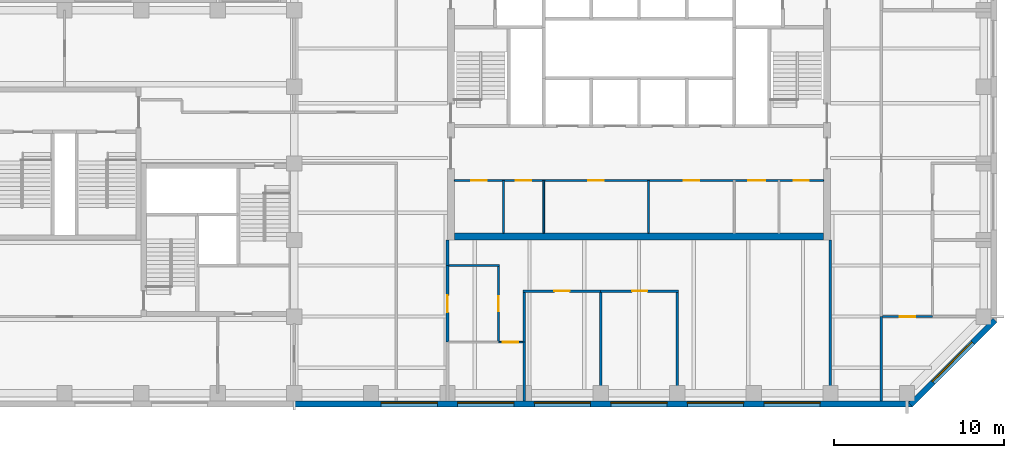
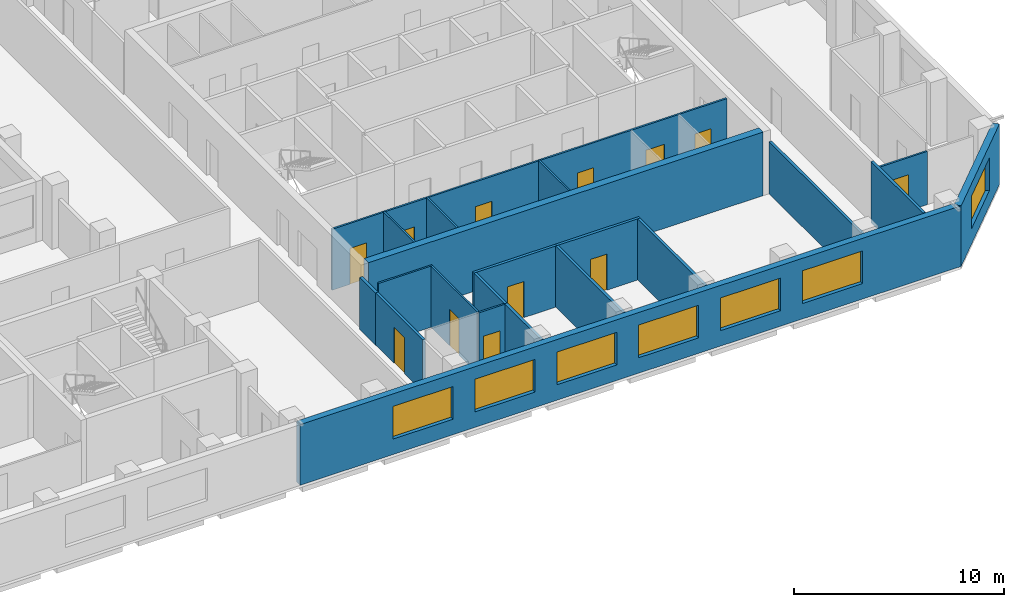
# One storey, part 4 of 9: 21 walls, 12 doors, 7 windows, 19 openings.
"""IFC4 building model written with IfcOpenShell, lengths in metres."""

import ifcopenshell
import ifcopenshell.guid

model = None  # the IFC model being written
_history = None  # IfcOwnerHistory: only IFC2X3 demands one
_inside = {}  # id of a spatial element -> (the spatial element, [elements in it])
_under = {}  # id of a project, library or spatial element -> (it, [spatial elements below it])
_declared = {}  # id of a project -> (the project, [libraries it declares])
_typed = {}  # id of a type object -> (the type object, [elements of that type])
_made_of = {}  # id of a material, layer set ... -> (it, [elements and type objects made of it])


def new_model(schema):
    """Start an empty IFC model of exactly this schema.

    Asked for "IFC4X3", IfcOpenShell would pick the latest addendum, in which some entities
    have other attributes; the version numbers below select the first issue.
    IFC2X3 requires an IfcOwnerHistory on every rooted entity: one is made here for all.
    """
    global model, _history
    if schema == "IFC4X3":
        model = ifcopenshell.file(schema_version=(4, 3, 0, 0))
    else:
        model = ifcopenshell.file(schema=schema)
    _inside.clear()
    _under.clear()
    _declared.clear()
    _typed.clear()
    _made_of.clear()
    _history = None
    if model.schema == "IFC2X3":
        org = make("IfcOrganization", Name="unknown")
        user = make(
            "IfcPersonAndOrganization",
            ThePerson=make("IfcPerson", FamilyName="unknown"),
            TheOrganization=org,
        )
        app = make(
            "IfcApplication",
            ApplicationDeveloper=org,
            Version="unknown",
            ApplicationFullName="unknown",
            ApplicationIdentifier="unknown",
        )
        _history = make(
            "IfcOwnerHistory",
            OwningUser=user,
            OwningApplication=app,
            ChangeAction="ADDED",
            CreationDate=0,
        )
    return model


def make(cls, **values):
    """One entity of the class cls with the attributes given. An attribute that is None is left unset."""
    return model.create_entity(
        cls, **{name: value for name, value in values.items() if value is not None}
    )


def rooted(cls, **values):
    """An entity with a GlobalId (a new one), such as an element, a storey or a relation."""
    return make(cls, GlobalId=ifcopenshell.guid.new(), OwnerHistory=_history, **values)


def si_unit(unit_type, name, prefix=None):
    """IfcSIUnit, for example si_unit("LENGTHUNIT", "METRE", prefix="MILLI")."""
    return make("IfcSIUnit", UnitType=unit_type, Prefix=prefix, Name=name)


def assignment(units):
    """IfcUnitAssignment: the units of a project."""
    return None if units is None else make("IfcUnitAssignment", Units=units)


def point(xyz):
    """IfcCartesianPoint."""
    return None if xyz is None else make("IfcCartesianPoint", Coordinates=xyz)


def direction(xyz):
    """IfcDirection."""
    return None if xyz is None else make("IfcDirection", DirectionRatios=xyz)


def frame(location, z_axis=None, x_axis=None):
    """IfcAxis2Placement3D, a coordinate frame: its origin and axes. An axis left out is left unset."""
    return make(
        "IfcAxis2Placement3D",
        Location=point(location),
        Axis=direction(z_axis),
        RefDirection=direction(x_axis),
    )


def frame_2d(location, x_axis=None):
    """IfcAxis2Placement2D, a coordinate frame in the plane: its origin and x axis."""
    return make(
        "IfcAxis2Placement2D", Location=point(location), RefDirection=direction(x_axis)
    )


def origin():
    """The frame at (0, 0, 0) with its axes left unset."""
    return frame((0.0, 0.0, 0.0))


def place(relative_to, where):
    """IfcLocalPlacement: puts the frame where relative to a parent placement (None: the world)."""
    return make(
        "IfcLocalPlacement", PlacementRelTo=relative_to, RelativePlacement=where
    )


def context(
    kind, dimensions, precision=None, world=None, true_north=None, identifier=None
):
    """IfcGeometricRepresentationContext, for example the 3D "Model" context."""
    return make(
        "IfcGeometricRepresentationContext",
        ContextIdentifier=identifier,
        ContextType=kind,
        CoordinateSpaceDimension=dimensions,
        Precision=precision,
        WorldCoordinateSystem=world,
        TrueNorth=true_north,
    )


def subcontext(parent, identifier, kind, view, scale=None):
    """IfcGeometricRepresentationSubContext, for example "Body" below "Model"."""
    return make(
        "IfcGeometricRepresentationSubContext",
        ContextIdentifier=identifier,
        ContextType=kind,
        ParentContext=parent,
        TargetScale=scale,
        TargetView=view,
    )


def project(units=None, contexts=None):
    """IfcProject with its units and contexts."""
    return rooted(
        "IfcProject",
        Name="project",
        RepresentationContexts=contexts,
        UnitsInContext=assignment(units),
    )


def spatial(cls, under=None, at=None, **own):
    """A site, building, storey or space (cls), placed at a placement, below another one or the project."""
    s = rooted(cls, ObjectPlacement=at, **own)
    if under is not None:
        _under.setdefault(under.id(), (under, []))[1].append(s)
    return s


def profile(cls, at=None, kind="AREA", **sizes):
    """A parametric profile (cls). Its sizes go by their IFC names, for example OverallWidth=200.0."""
    return make(cls, ProfileType=kind, Position=at, **sizes)


def rectangle(**sizes):
    """IfcRectangleProfileDef."""
    return profile("IfcRectangleProfileDef", **sizes)


def extrude(swept, where, along, depth):
    """IfcExtrudedAreaSolid: the profile swept, set in the frame where, extruded along a direction by depth."""
    return make(
        "IfcExtrudedAreaSolid",
        SweptArea=swept,
        Position=where,
        ExtrudedDirection=direction(along),
        Depth=depth,
    )


def shape(context_of_items, identifier, shape_type, items):
    """IfcShapeRepresentation: the items that make up one representation, for example the "Body"."""
    return make(
        "IfcShapeRepresentation",
        ContextOfItems=context_of_items,
        RepresentationIdentifier=identifier,
        RepresentationType=shape_type,
        Items=items,
    )


def material(Name=None, Category=None):
    """IfcMaterial."""
    return make("IfcMaterial", Name=Name, Category=Category)


def layer(
    of_material, thickness, ventilated=None, Name=None, Category=None, Priority=None
):
    """IfcMaterialLayer: one layer of a wall or slab, of a material (None: an air gap)."""
    return make(
        "IfcMaterialLayer",
        Material=of_material,
        LayerThickness=thickness,
        IsVentilated=ventilated,
        Name=Name,
        Category=Category,
        Priority=Priority,
    )


def layer_set(layers, Name=None):
    """IfcMaterialLayerSet."""
    return make("IfcMaterialLayerSet", MaterialLayers=layers, LayerSetName=Name)


def constituent(of_material, Name=None, Category=None, fraction=None):
    """IfcMaterialConstituent: one of the materials an element consists of."""
    return make(
        "IfcMaterialConstituent",
        Name=Name,
        Material=of_material,
        Fraction=fraction,
        Category=Category,
    )


def constituent_set(constituents=None, Name=None):
    """IfcMaterialConstituentSet."""
    return make(
        "IfcMaterialConstituentSet", Name=Name, MaterialConstituents=constituents
    )


def made_of(thing, what):
    """Note that an element or type object is made of a material, layer set ...; save() writes the relation."""
    if what is not None:
        _made_of.setdefault(what.id(), (what, []))[1].append(thing)
    return thing


def type_object(cls, material=None, **own):
    """A type object (cls), such as IfcWallType, which elements share."""
    return made_of(rooted(cls, **own), material)


def element(
    cls,
    number,
    at=None,
    inside=None,
    cuts=None,
    type_object=None,
    material=None,
    context=None,
    identifier="Body",
    shape_type=None,
    held_by="IfcProductDefinitionShape",
    body=None,
    shapes=None,
    **own,
):
    """One element of the class cls, such as IfcWall. Its Tag is "e" and its number.

    at: its placement. inside: the storey or other place that contains it. cuts: it is an
    opening in that element (IfcRelVoidsElement). A single representation is given by context,
    identifier, shape_type and body (its items); several are given by shapes. held_by: the class
    of the entity that holds the representations. save() writes the other relations.
    """
    e = rooted(cls, Tag="e%d" % number, ObjectPlacement=at, **own)
    if body is not None:
        shapes = [shape(context, identifier, shape_type, body)]
    if shapes is not None:
        e.Representation = make(held_by, Representations=shapes)
    if inside is not None:
        _inside.setdefault(inside.id(), (inside, []))[1].append(e)
    if cuts is not None:
        rooted(
            "IfcRelVoidsElement", RelatingBuildingElement=cuts, RelatedOpeningElement=e
        )
    if type_object is not None:
        _typed.setdefault(type_object.id(), (type_object, []))[1].append(e)
    return made_of(e, material)


def fill(opening, filler):
    """IfcRelFillsElement: the door or window that sits in an opening."""
    return rooted(
        "IfcRelFillsElement",
        RelatingOpeningElement=opening,
        RelatedBuildingElement=filler,
    )


def aggregate(whole, parts):
    """IfcRelAggregates: a whole, such as a stair, and the parts it consists of."""
    return rooted("IfcRelAggregates", RelatingObject=whole, RelatedObjects=parts)


def save(model, path):
    """Write the relations noted so far, then the file.

    IfcRelAggregates (storeys below a building ...), IfcRelContainedInSpatialStructure (elements
    in a storey), IfcRelDefinesByType, IfcRelAssociatesMaterial and IfcRelDeclares: one each for
    every whole, place, type object, material and project.
    """
    for whole, parts in _under.values():
        aggregate(whole, parts)
    for where, things in _inside.values():
        rooted(
            "IfcRelContainedInSpatialStructure",
            RelatedElements=things,
            RelatingStructure=where,
        )
    for kind, things in _typed.values():
        rooted("IfcRelDefinesByType", RelatedObjects=things, RelatingType=kind)
    for what, things in _made_of.values():
        rooted("IfcRelAssociatesMaterial", RelatedObjects=things, RelatingMaterial=what)
    for by, libraries in _declared.values():
        rooted("IfcRelDeclares", RelatingContext=by, RelatedDefinitions=libraries)
    model.write(path)


model = new_model("IFC4")

# Units and contexts
model_context = context("Model", 3, precision=1e-05, world=origin(), true_north=direction((0.0, 1.0)))
body_context = subcontext(model_context, "Body", "Model", "MODEL_VIEW")
ifc_project = project(units=[si_unit("LENGTHUNIT", "METRE"), si_unit("AREAUNIT", "SQUARE_METRE"), si_unit("VOLUMEUNIT", "CUBIC_METRE"), si_unit("PLANEANGLEUNIT", "RADIAN"), si_unit("MASSUNIT", "GRAM", prefix="KILO")], contexts=[model_context])

# Site, building, storey
site_placement = place(None, origin())
site = spatial("IfcSite", under=ifc_project, at=site_placement, CompositionType="ELEMENT")
building_placement = place(site_placement, origin())
building = spatial("IfcBuilding", under=site, at=building_placement, Name="Quoin Convention Tower", CompositionType="ELEMENT")
storey_placement = place(building_placement, frame((0.0, 0.0, 245.199951171875)))
storey = spatial("IfcBuildingStorey", under=building, at=storey_placement, Name="L64", CompositionType="ELEMENT", Elevation=245.199951171875)

# Wall, opening, door
ifc_material_1 = material(Name="Plasterboard")
ifc_layer_1 = layer(ifc_material_1, 0.012451171875, Name="Finish")
ifc_material_2 = material(Name="Steel stud framing", Category="steel")
ifc_layer_2 = layer(ifc_material_2, 0.125, Name="Structure")
ifc_layer_3 = layer(ifc_material_1, 0.012451171875, Name="Finish")
ifc_layer_set_1 = layer_set([ifc_layer_1, ifc_layer_2, ifc_layer_3], Name="Steel stud framing")
wall_type_1 = type_object("IfcWallType", Name="Acoustic partition 150", PredefinedType="PARTITIONING", material=ifc_layer_set_1)
wall_1_placement = place(storey_placement, frame((49.425048828125, 46.5, 0.0), z_axis=(0.0, 0.0, 1.0), x_axis=(1.0, 0.0, 0.0)))
wall_1 = element("IfcWall", 1, at=wall_1_placement, inside=storey, type_object=wall_type_1, Name="pw-L64-009", PredefinedType="PARTITIONING", context=body_context, shape_type="SweptSolid", body=[
    extrude(rectangle(XDim=4.574951171875, YDim=0.14990234375, at=frame_2d((2.28759765625, 0.0))), origin(), (0.0, 0.0, 1.0), 3.550048828125),
])
opening_1_placement = place(wall_1_placement, frame((1.85009765625, 0.0, 0.0)))
opening_1 = element("IfcOpeningElement", 2, at=opening_1_placement, cuts=wall_1, Name="Opening DOH12-03", PredefinedType="OPENING", context=body_context, shape_type="SweptSolid", body=[
    extrude(rectangle(XDim=0.89990234375, YDim=2.10009765625, at=frame_2d((0.449951171875, 1.050048828125))), frame((0.0, 0.0849609375, 0.0), z_axis=(0.0, -1.0, 0.0), x_axis=(1.0, 0.0, 0.0)), (0.0, 0.0, 1.0), 0.169921875),
])
ifc_material_3 = material(Name="Steel door leaf", Category="steel")
door_type_1 = type_object("IfcDoorType", Name="Office door 900 x 2100", OperationType="SINGLE_SWING_RIGHT", PredefinedType="DOOR", material=ifc_material_3)
door_1_placement = place(opening_1_placement, origin())
door_1 = element("IfcDoor", 3, at=door_1_placement, inside=storey, type_object=door_type_1, Name="dr-L64-13", OperationType="SINGLE_SWING_RIGHT", OverallHeight=2.10009765625, OverallWidth=0.89990234375, PredefinedType="DOOR", context=body_context, shape_type="SweptSolid", body=[
    extrude(rectangle(XDim=0.89990234375, YDim=2.10009765625, at=frame_2d((0.449951171875, 1.050048828125))), frame((0.0, 0.02490234375, 0.0), z_axis=(0.0, -1.0, 0.0), x_axis=(1.0, 0.0, 0.0)), (0.0, 0.0, 1.0), 0.050048828125),
])
fill(opening_1, door_1)

wall_2_placement = place(storey_placement, frame((54.0, 46.5, 0.0), z_axis=(0.0, 0.0, 1.0), x_axis=(1.0, 0.0, 0.0)))
wall_2 = element("IfcWall", 4, at=wall_2_placement, inside=storey, type_object=wall_type_1, Name="pw-L64-010", PredefinedType="PARTITIONING", context=body_context, shape_type="SweptSolid", body=[
    extrude(rectangle(XDim=4.574951171875, YDim=0.14990234375, at=frame_2d((2.28759765625, 0.0))), origin(), (0.0, 0.0, 1.0), 3.550048828125),
])
opening_2_placement = place(wall_2_placement, frame((1.85009765625, 0.0, 0.0)))
opening_2 = element("IfcOpeningElement", 5, at=opening_2_placement, cuts=wall_2, Name="Opening DOH12-04", PredefinedType="OPENING", context=body_context, shape_type="SweptSolid", body=[
    extrude(rectangle(XDim=0.89990234375, YDim=2.10009765625, at=frame_2d((0.449951171875, 1.050048828125))), frame((0.0, 0.0849609375, 0.0), z_axis=(0.0, -1.0, 0.0), x_axis=(1.0, 0.0, 0.0)), (0.0, 0.0, 1.0), 0.169921875),
])
door_2_placement = place(opening_2_placement, origin())
door_2 = element("IfcDoor", 6, at=door_2_placement, inside=storey, type_object=door_type_1, Name="dr-L64-14", OperationType="SINGLE_SWING_RIGHT", OverallHeight=2.10009765625, OverallWidth=0.89990234375, PredefinedType="DOOR", context=body_context, shape_type="SweptSolid", body=[
    extrude(rectangle(XDim=0.89990234375, YDim=2.10009765625, at=frame_2d((0.449951171875, 1.050048828125))), frame((0.0, 0.02490234375, 0.0), z_axis=(0.0, -1.0, 0.0), x_axis=(1.0, 0.0, 0.0)), (0.0, 0.0, 1.0), 0.050048828125),
])
fill(opening_2, door_2)

# Walls
wall_3_placement = place(storey_placement, frame((49.5, 40.050048828125, 0.0), z_axis=(0.0, 0.0, 1.0), x_axis=(0.0, 1.0, 0.0)))
element("IfcWall", 7, at=wall_3_placement, inside=storey, type_object=wall_type_1, Name="pw-L64-036", PredefinedType="PARTITIONING", context=body_context, shape_type="SweptSolid", body=[
    extrude(rectangle(XDim=3.449951171875, YDim=0.14990234375, at=frame_2d((1.72509765625, 0.0))), origin(), (0.0, 0.0, 1.0), 3.550048828125),
])
for number, where, z_axis, x_axis, name in (
    (8, (54.0, 40.050048828125, 0.0), (0.0, 0.0, 1.0), (0.0, 1.0, 0.0), "pw-L64-037"),
    (9, (58.5, 40.050048828125, 0.0), (0.0, 0.0, 1.0), (0.0, 1.0, 0.0), "pw-L64-038"),
):
    element("IfcWall", number, at=place(storey_placement, frame(where, z_axis=z_axis, x_axis=x_axis)), inside=storey, type_object=wall_type_1, Name=name, PredefinedType="PARTITIONING", context=body_context, shape_type="SweptSolid", body=[
        extrude(rectangle(XDim=6.375, YDim=0.14990234375, at=frame_2d((3.1875, 0.0))), origin(), (0.0, 0.0, 1.0), 3.550048828125),
    ])
wall_4_placement = place(storey_placement, frame((49.5, 43.5, 0.0), z_axis=(0.0, 0.0, 1.0), x_axis=(0.0, 1.0, 0.0)))
element("IfcWall", 10, at=wall_4_placement, inside=storey, type_object=wall_type_1, Name="pw-L64-044", PredefinedType="PARTITIONING", context=body_context, shape_type="SweptSolid", body=[
    extrude(rectangle(XDim=2.925048828125, YDim=0.14990234375, at=frame_2d((1.46240234375, 0.0))), origin(), (0.0, 0.0, 1.0), 3.550048828125),
])

# Wall, openings, windows
ifc_material_4 = material(Name="Brick masonry", Category="masonry")
ifc_layer_4 = layer(ifc_material_4, 0.35009765625)
ifc_layer_set_2 = layer_set([ifc_layer_4], Name="Brick masonry")
wall_type_2 = type_object("IfcWallType", Name="Brick facade wall", PredefinedType="STANDARD", material=ifc_layer_set_2)
wall_5_placement = place(storey_placement, frame((36.0, 39.875, 0.0), z_axis=(0.0, 0.0, 1.0), x_axis=(1.0, 0.0, 0.0)))
wall_5 = element("IfcWall", 11, at=wall_5_placement, inside=storey, type_object=wall_type_2, Name="fw-L64-36000_40500", PredefinedType="STANDARD", context=body_context, shape_type="SweptSolid", body=[
    extrude(rectangle(XDim=36.331298828125, YDim=0.35009765625, at=frame_2d((18.16552734375, 0.0))), origin(), (0.0, 0.0, 1.0), 3.525146484375),
])
opening_3_placement = place(wall_5_placement, frame((5.10009765625, 0.0, 0.89990234375)))
opening_3 = element("IfcOpeningElement", 12, at=opening_3_placement, cuts=wall_5, Name="Opening W-02", PredefinedType="OPENING", context=body_context, shape_type="SweptSolid", body=[
    extrude(rectangle(XDim=3.300048828125, YDim=1.89990234375, at=frame_2d((1.64990234375, 0.949951171875))), frame((0.0, 0.18505859375, 0.0), z_axis=(0.0, -1.0, 0.0), x_axis=(1.0, 0.0, 0.0)), (0.0, 0.0, 1.0), 0.3701171875),
])
opening_4_placement = place(wall_5_placement, frame((9.60009765625, 0.0, 0.89990234375)))
opening_4 = element("IfcOpeningElement", 13, at=opening_4_placement, cuts=wall_5, Name="Opening W-02", PredefinedType="OPENING", context=body_context, shape_type="SweptSolid", body=[
    extrude(rectangle(XDim=3.300048828125, YDim=1.89990234375, at=frame_2d((1.64990234375, 0.949951171875))), frame((0.0, 0.18505859375, 0.0), z_axis=(0.0, -1.0, 0.0), x_axis=(1.0, 0.0, 0.0)), (0.0, 0.0, 1.0), 0.3701171875),
])
opening_5_placement = place(wall_5_placement, frame((14.10009765625, 0.0, 0.89990234375)))
opening_5 = element("IfcOpeningElement", 14, at=opening_5_placement, cuts=wall_5, Name="Opening W-02", PredefinedType="OPENING", context=body_context, shape_type="SweptSolid", body=[
    extrude(rectangle(XDim=3.300048828125, YDim=1.89990234375, at=frame_2d((1.64990234375, 0.949951171875))), frame((0.0, 0.18505859375, 0.0), z_axis=(0.0, -1.0, 0.0), x_axis=(1.0, 0.0, 0.0)), (0.0, 0.0, 1.0), 0.3701171875),
])
opening_6_placement = place(wall_5_placement, frame((18.60009765625, 0.0, 0.89990234375)))
opening_6 = element("IfcOpeningElement", 15, at=opening_6_placement, cuts=wall_5, Name="Opening W-02", PredefinedType="OPENING", context=body_context, shape_type="SweptSolid", body=[
    extrude(rectangle(XDim=3.300048828125, YDim=1.89990234375, at=frame_2d((1.64990234375, 0.949951171875))), frame((0.0, 0.18505859375, 0.0), z_axis=(0.0, -1.0, 0.0), x_axis=(1.0, 0.0, 0.0)), (0.0, 0.0, 1.0), 0.3701171875),
])
opening_7_placement = place(wall_5_placement, frame((23.10009765625, 0.0, 0.89990234375)))
opening_7 = element("IfcOpeningElement", 16, at=opening_7_placement, cuts=wall_5, Name="Opening W-02", PredefinedType="OPENING", context=body_context, shape_type="SweptSolid", body=[
    extrude(rectangle(XDim=3.300048828125, YDim=1.89990234375, at=frame_2d((1.64990234375, 0.949951171875))), frame((0.0, 0.18505859375, 0.0), z_axis=(0.0, -1.0, 0.0), x_axis=(1.0, 0.0, 0.0)), (0.0, 0.0, 1.0), 0.3701171875),
])
opening_8_placement = place(wall_5_placement, frame((27.60009765625, 0.0, 0.89990234375)))
opening_8 = element("IfcOpeningElement", 17, at=opening_8_placement, cuts=wall_5, Name="Opening W-02", PredefinedType="OPENING", context=body_context, shape_type="SweptSolid", body=[
    extrude(rectangle(XDim=3.300048828125, YDim=1.89990234375, at=frame_2d((1.64990234375, 0.949951171875))), frame((0.0, 0.18505859375, 0.0), z_axis=(0.0, -1.0, 0.0), x_axis=(1.0, 0.0, 0.0)), (0.0, 0.0, 1.0), 0.3701171875),
])
ifc_material_5 = material(Name="Aluminium", Category="aluminium")
ifc_constituent_1 = constituent(ifc_material_5, Name="Frame")
ifc_material_6 = material(Name="Insulated glass", Category="glass")
ifc_constituent_2 = constituent(ifc_material_6, Name="Glazing")
ifc_constituent_set = constituent_set(constituents=[ifc_constituent_1, ifc_constituent_2], Name="Aluminium")
window_type = type_object("IfcWindowType", Name="Office window", PartitioningType="DOUBLE_PANEL_VERTICAL", PredefinedType="WINDOW", material=ifc_constituent_set)
window_1_placement = place(opening_3_placement, origin())
window_1 = element("IfcWindow", 18, at=window_1_placement, inside=storey, type_object=window_type, Name="win-L64-42750_39875", OverallHeight=1.89990234375, OverallWidth=3.300048828125, PartitioningType="SINGLE_PANEL", PredefinedType="WINDOW", context=body_context, shape_type="SweptSolid", body=[
    extrude(rectangle(XDim=3.300048828125, YDim=1.89990234375, at=frame_2d((1.64990234375, 0.949951171875))), frame((0.0, 0.0849609375, 0.0), z_axis=(0.0, -1.0, 0.0), x_axis=(1.0, 0.0, 0.0)), (0.0, 0.0, 1.0), 0.06005859375),
])
fill(opening_3, window_1)
window_2_placement = place(opening_4_placement, origin())
window_2 = element("IfcWindow", 19, at=window_2_placement, inside=storey, type_object=window_type, Name="win-L64-47250_39875", OverallHeight=1.89990234375, OverallWidth=3.300048828125, PartitioningType="SINGLE_PANEL", PredefinedType="WINDOW", context=body_context, shape_type="SweptSolid", body=[
    extrude(rectangle(XDim=3.300048828125, YDim=1.89990234375, at=frame_2d((1.64990234375, 0.949951171875))), frame((0.0, 0.0849609375, 0.0), z_axis=(0.0, -1.0, 0.0), x_axis=(1.0, 0.0, 0.0)), (0.0, 0.0, 1.0), 0.06005859375),
])
fill(opening_4, window_2)
window_3_placement = place(opening_5_placement, origin())
window_3 = element("IfcWindow", 20, at=window_3_placement, inside=storey, type_object=window_type, Name="win-L64-51750_39875", OverallHeight=1.89990234375, OverallWidth=3.300048828125, PartitioningType="SINGLE_PANEL", PredefinedType="WINDOW", context=body_context, shape_type="SweptSolid", body=[
    extrude(rectangle(XDim=3.300048828125, YDim=1.89990234375, at=frame_2d((1.64990234375, 0.949951171875))), frame((0.0, 0.0849609375, 0.0), z_axis=(0.0, -1.0, 0.0), x_axis=(1.0, 0.0, 0.0)), (0.0, 0.0, 1.0), 0.06005859375),
])
fill(opening_5, window_3)
window_4_placement = place(opening_6_placement, origin())
window_4 = element("IfcWindow", 21, at=window_4_placement, inside=storey, type_object=window_type, Name="win-L64-56250_39875", OverallHeight=1.89990234375, OverallWidth=3.300048828125, PartitioningType="SINGLE_PANEL", PredefinedType="WINDOW", context=body_context, shape_type="SweptSolid", body=[
    extrude(rectangle(XDim=3.300048828125, YDim=1.89990234375, at=frame_2d((1.64990234375, 0.949951171875))), frame((0.0, 0.0849609375, 0.0), z_axis=(0.0, -1.0, 0.0), x_axis=(1.0, 0.0, 0.0)), (0.0, 0.0, 1.0), 0.06005859375),
])
fill(opening_6, window_4)
window_5_placement = place(opening_7_placement, origin())
window_5 = element("IfcWindow", 22, at=window_5_placement, inside=storey, type_object=window_type, Name="win-L64-60750_39875", OverallHeight=1.89990234375, OverallWidth=3.300048828125, PartitioningType="SINGLE_PANEL", PredefinedType="WINDOW", context=body_context, shape_type="SweptSolid", body=[
    extrude(rectangle(XDim=3.300048828125, YDim=1.89990234375, at=frame_2d((1.64990234375, 0.949951171875))), frame((0.0, 0.0849609375, 0.0), z_axis=(0.0, -1.0, 0.0), x_axis=(1.0, 0.0, 0.0)), (0.0, 0.0, 1.0), 0.06005859375),
])
fill(opening_7, window_5)
window_6_placement = place(opening_8_placement, origin())
window_6 = element("IfcWindow", 23, at=window_6_placement, inside=storey, type_object=window_type, Name="win-L64-65250_39875", OverallHeight=1.89990234375, OverallWidth=3.300048828125, PartitioningType="SINGLE_PANEL", PredefinedType="WINDOW", context=body_context, shape_type="SweptSolid", body=[
    extrude(rectangle(XDim=3.300048828125, YDim=1.89990234375, at=frame_2d((1.64990234375, 0.949951171875))), frame((0.0, 0.0849609375, 0.0), z_axis=(0.0, -1.0, 0.0), x_axis=(1.0, 0.0, 0.0)), (0.0, 0.0, 1.0), 0.06005859375),
])
fill(opening_8, window_6)

# Wall, opening, window
wall_6_placement = place(storey_placement, frame((72.20751953125, 39.82373046875, 0.0), z_axis=(0.0, 0.0, 1.0), x_axis=(0.707106781187, 0.707106781187, 0.0)))
wall_6 = element("IfcWall", 24, at=wall_6_placement, inside=storey, type_object=wall_type_2, Name="fw-L64-72000_40500", PredefinedType="STANDARD", context=body_context, shape_type="SweptSolid", body=[
    extrude(rectangle(XDim=7.02685546875, YDim=0.35009765625, at=frame_2d((3.513427734375, 0.0))), origin(), (0.0, 0.0, 1.0), 3.525146484375),
])
opening_9_placement = place(wall_6_placement, frame((1.86328125, 0.0, 0.89990234375)))
opening_9 = element("IfcOpeningElement", 25, at=opening_9_placement, cuts=wall_6, Name="Opening W-02", PredefinedType="OPENING", context=body_context, shape_type="SweptSolid", body=[
    extrude(rectangle(XDim=3.300048828125, YDim=1.89990234375, at=frame_2d((1.64990234375, 0.949951171875))), frame((0.0, 0.18505859375, 0.0), z_axis=(0.0, -1.0, 0.0), x_axis=(1.0, 0.0, 0.0)), (0.0, 0.0, 1.0), 0.3701171875),
])
window_7_placement = place(opening_9_placement, origin())
window_7 = element("IfcWindow", 26, at=window_7_placement, inside=storey, type_object=window_type, Name="win-L64-74692_42308", OverallHeight=1.89990234375, OverallWidth=3.300048828125, PartitioningType="SINGLE_PANEL", PredefinedType="WINDOW", context=body_context, shape_type="SweptSolid", body=[
    extrude(rectangle(XDim=3.300048828125, YDim=1.89990234375, at=frame_2d((1.64990234375, 0.949951171875))), frame((0.0, 0.0849609375, 0.0), z_axis=(0.0, -1.0, 0.0), x_axis=(1.0, 0.0, 0.0)), (0.0, 0.0, 1.0), 0.06005859375),
])
fill(opening_9, window_7)

# Wall, openings, doors
ifc_layer_5 = layer(ifc_material_1, 0.012451171875, Name="Finish")
ifc_layer_6 = layer(ifc_material_2, 0.074951171875, Name="Structure")
ifc_layer_7 = layer(ifc_material_1, 0.012451171875, Name="Finish")
ifc_layer_set_3 = layer_set([ifc_layer_5, ifc_layer_6, ifc_layer_7], Name="Steel stud framing")
wall_type_3 = type_object("IfcWallType", Name="Core partition wall", PredefinedType="PARTITIONING", material=ifc_layer_set_3)
wall_7_placement = place(storey_placement, frame((45.39990234375, 53.0, 0.0), z_axis=(0.0, 0.0, 1.0), x_axis=(1.0, 0.0, 0.0)))
wall_7 = element("IfcWall", 27, at=wall_7_placement, inside=storey, type_object=wall_type_3, Name="cr-C1-L64-h3500_400", PredefinedType="PARTITIONING", context=body_context, shape_type="SweptSolid", body=[
    extrude(rectangle(XDim=21.7001953125, YDim=0.10009765625, at=frame_2d((10.85009765625, 0.0))), origin(), (0.0, 0.0, 1.0), 3.550048828125),
])
opening_10_placement = place(wall_7_placement, frame((19.9375, 0.0, 0.0)))
opening_10 = element("IfcOpeningElement", 28, at=opening_10_placement, cuts=wall_7, Name="Opening DCV4-33", PredefinedType="OPENING", context=body_context, shape_type="SweptSolid", body=[
    extrude(rectangle(XDim=0.89990234375, YDim=2.10009765625, at=frame_2d((0.449951171875, 1.050048828125))), frame((0.0, 0.06005859375, 0.0), z_axis=(0.0, -1.0, 0.0), x_axis=(1.0, 0.0, 0.0)), (0.0, 0.0, 1.0), 0.1201171875),
])
opening_11_placement = place(wall_7_placement, frame((17.262451171875, 0.0, 0.0)))
opening_11 = element("IfcOpeningElement", 29, at=opening_11_placement, cuts=wall_7, Name="Opening DCV4-32", PredefinedType="OPENING", context=body_context, shape_type="SweptSolid", body=[
    extrude(rectangle(XDim=1.0, YDim=2.10009765625, at=frame_2d((0.5, 1.050048828125))), frame((0.0, 0.06005859375, 0.0), z_axis=(0.0, -1.0, 0.0), x_axis=(1.0, 0.0, 0.0)), (0.0, 0.0, 1.0), 0.1201171875),
])
opening_12_placement = place(wall_7_placement, frame((0.993896484375, 0.0, 0.0)))
opening_12 = element("IfcOpeningElement", 30, at=opening_12_placement, cuts=wall_7, Name="Opening DCV4-25", PredefinedType="OPENING", context=body_context, shape_type="SweptSolid", body=[
    extrude(rectangle(XDim=0.89990234375, YDim=2.10009765625, at=frame_2d((0.449951171875, 1.050048828125))), frame((0.0, 0.06005859375, 0.0), z_axis=(0.0, -1.0, 0.0), x_axis=(1.0, 0.0, 0.0)), (0.0, 0.0, 1.0), 0.1201171875),
])
opening_13_placement = place(wall_7_placement, frame((3.618896484375, 0.0, 0.0)))
opening_13 = element("IfcOpeningElement", 31, at=opening_13_placement, cuts=wall_7, Name="Opening DCV4-26", PredefinedType="OPENING", context=body_context, shape_type="SweptSolid", body=[
    extrude(rectangle(XDim=0.89990234375, YDim=2.10009765625, at=frame_2d((0.449951171875, 1.050048828125))), frame((0.0, 0.06005859375, 0.0), z_axis=(0.0, -1.0, 0.0), x_axis=(1.0, 0.0, 0.0)), (0.0, 0.0, 1.0), 0.1201171875),
])
opening_14_placement = place(wall_7_placement, frame((7.8798828125, 0.0, 0.0)))
opening_14 = element("IfcOpeningElement", 32, at=opening_14_placement, cuts=wall_7, Name="Opening DCV4-28", PredefinedType="OPENING", context=body_context, shape_type="SweptSolid", body=[
    extrude(rectangle(XDim=0.89990234375, YDim=2.10009765625, at=frame_2d((0.449951171875, 1.050048828125))), frame((0.0, 0.06005859375, 0.0), z_axis=(0.0, -1.0, 0.0), x_axis=(1.0, 0.0, 0.0)), (0.0, 0.0, 1.0), 0.1201171875),
])
opening_15_placement = place(wall_7_placement, frame((13.47998046875, 0.0, 0.0)))
opening_15 = element("IfcOpeningElement", 33, at=opening_15_placement, cuts=wall_7, Name="Opening DCV4-31", PredefinedType="OPENING", context=body_context, shape_type="SweptSolid", body=[
    extrude(rectangle(XDim=0.89990234375, YDim=2.10009765625, at=frame_2d((0.449951171875, 1.050048828125))), frame((0.0, 0.06005859375, 0.0), z_axis=(0.0, -1.0, 0.0), x_axis=(1.0, 0.0, 0.0)), (0.0, 0.0, 1.0), 0.1201171875),
])
door_type_2 = type_object("IfcDoorType", Name="Core room door 1000 x 2100", OperationType="SINGLE_SWING_LEFT", PredefinedType="DOOR", material=ifc_material_3)
door_3_placement = place(opening_11_placement, frame((1.0, 0.0, 0.0), z_axis=(0.0, 0.0, 1.0), x_axis=(-1.0, 0.0, 0.0)))
door_3 = element("IfcDoor", 34, at=door_3_placement, inside=storey, type_object=door_type_2, Name="cd-C1-L64-CSE1-lobA-CD6413", OperationType="SINGLE_SWING_LEFT", OverallHeight=2.10009765625, OverallWidth=1.0, PredefinedType="DOOR", context=body_context, shape_type="SweptSolid", body=[
    extrude(rectangle(XDim=1.0, YDim=2.10009765625, at=frame_2d((0.5, 1.050048828125))), frame((0.0, 0.02490234375, 0.0), z_axis=(0.0, -1.0, 0.0), x_axis=(1.0, 0.0, 0.0)), (0.0, 0.0, 1.0), 0.050048828125),
])
fill(opening_11, door_3)
door_type_3 = type_object("IfcDoorType", Name="Core room door 900 x 2100", OperationType="SINGLE_SWING_LEFT", PredefinedType="DOOR", material=ifc_material_3)
door_4_placement = place(opening_10_placement, frame((0.89990234375, 0.0, 0.0), z_axis=(0.0, 0.0, 1.0), x_axis=(-1.0, 0.0, 0.0)))
door_4 = element("IfcDoor", 35, at=door_4_placement, inside=storey, type_object=door_type_3, Name="cd-C1-L64-CSE0-lobA-CD6412", OperationType="SINGLE_SWING_LEFT", OverallHeight=2.10009765625, OverallWidth=0.89990234375, PredefinedType="DOOR", context=body_context, shape_type="SweptSolid", body=[
    extrude(rectangle(XDim=0.89990234375, YDim=2.10009765625, at=frame_2d((0.449951171875, 1.050048828125))), frame((0.0, 0.02490234375, 0.0), z_axis=(0.0, -1.0, 0.0), x_axis=(1.0, 0.0, 0.0)), (0.0, 0.0, 1.0), 0.050048828125),
])
fill(opening_10, door_4)
door_5_placement = place(opening_12_placement, frame((0.89990234375, 0.0, 0.0), z_axis=(0.0, 0.0, 1.0), x_axis=(-1.0, 0.0, 0.0)))
door_5 = element("IfcDoor", 36, at=door_5_placement, inside=storey, type_object=door_type_3, Name="cd-C1-L64-CSW0-lobA-CD6414", OperationType="SINGLE_SWING_LEFT", OverallHeight=2.10009765625, OverallWidth=0.89990234375, PredefinedType="DOOR", context=body_context, shape_type="SweptSolid", body=[
    extrude(rectangle(XDim=0.89990234375, YDim=2.10009765625, at=frame_2d((0.449951171875, 1.050048828125))), frame((0.0, 0.02490234375, 0.0), z_axis=(0.0, -1.0, 0.0), x_axis=(1.0, 0.0, 0.0)), (0.0, 0.0, 1.0), 0.050048828125),
])
fill(opening_12, door_5)
door_6_placement = place(opening_13_placement, frame((0.89990234375, 0.0, 0.0), z_axis=(0.0, 0.0, 1.0), x_axis=(-1.0, 0.0, 0.0)))
door_6 = element("IfcDoor", 37, at=door_6_placement, inside=storey, type_object=door_type_3, Name="cd-C1-L64-CSW1-lobA-CD6415", OperationType="SINGLE_SWING_LEFT", OverallHeight=2.10009765625, OverallWidth=0.89990234375, PredefinedType="DOOR", context=body_context, shape_type="SweptSolid", body=[
    extrude(rectangle(XDim=0.89990234375, YDim=2.10009765625, at=frame_2d((0.449951171875, 1.050048828125))), frame((0.0, 0.02490234375, 0.0), z_axis=(0.0, -1.0, 0.0), x_axis=(1.0, 0.0, 0.0)), (0.0, 0.0, 1.0), 0.050048828125),
])
fill(opening_13, door_6)
door_7_placement = place(opening_14_placement, frame((0.89990234375, 0.0, 0.0), z_axis=(0.0, 0.0, 1.0), x_axis=(-1.0, 0.0, 0.0)))
door_7 = element("IfcDoor", 38, at=door_7_placement, inside=storey, type_object=door_type_3, Name="cd-C1-L64-F10-lobA-CD6416", OperationType="SINGLE_SWING_LEFT", OverallHeight=2.10009765625, OverallWidth=0.89990234375, PredefinedType="DOOR", context=body_context, shape_type="SweptSolid", body=[
    extrude(rectangle(XDim=0.89990234375, YDim=2.10009765625, at=frame_2d((0.449951171875, 1.050048828125))), frame((0.0, 0.02490234375, 0.0), z_axis=(0.0, -1.0, 0.0), x_axis=(1.0, 0.0, 0.0)), (0.0, 0.0, 1.0), 0.050048828125),
])
fill(opening_14, door_7)
door_8_placement = place(opening_15_placement, frame((0.89990234375, 0.0, 0.0), z_axis=(0.0, 0.0, 1.0), x_axis=(-1.0, 0.0, 0.0)))
door_8 = element("IfcDoor", 39, at=door_8_placement, inside=storey, type_object=door_type_3, Name="cd-C1-L64-F11-lobA-CD6417", OperationType="SINGLE_SWING_LEFT", OverallHeight=2.10009765625, OverallWidth=0.89990234375, PredefinedType="DOOR", context=body_context, shape_type="SweptSolid", body=[
    extrude(rectangle(XDim=0.89990234375, YDim=2.10009765625, at=frame_2d((0.449951171875, 1.050048828125))), frame((0.0, 0.02490234375, 0.0), z_axis=(0.0, -1.0, 0.0), x_axis=(1.0, 0.0, 0.0)), (0.0, 0.0, 1.0), 0.050048828125),
])
fill(opening_15, door_8)

# Walls
for number, where, z_axis, x_axis, name in (
    (40, (48.28759765625, 49.89990234375, 0.0), (0.0, 0.0, 1.0), (0.0, 1.0, 0.0), "cr-C1-L64-v3288_400"),
    (41, (50.64990234375, 49.89990234375, 0.0), (0.0, 0.0, 1.0), (0.0, 1.0, 0.0), "cr-C1-L64-v5650_400"),
    (42, (56.81005859375, 49.89990234375, 0.0), (0.0, 0.0, 1.0), (0.0, 1.0, 0.0), "cr-C1-L64-v11810_400"),
):
    element("IfcWall", number, at=place(storey_placement, frame(where, z_axis=z_axis, x_axis=x_axis)), inside=storey, type_object=wall_type_3, Name=name, PredefinedType="PARTITIONING", context=body_context, shape_type="SweptSolid", body=[
        extrude(rectangle(XDim=3.10009765625, YDim=0.10009765625, at=frame_2d((1.550048828125, 0.0))), origin(), (0.0, 0.0, 1.0), 3.550048828125),
    ])
ifc_layer_8 = layer(ifc_material_1, 0.012451171875, Name="Finish")
ifc_layer_9 = layer(ifc_material_2, 0.125, Name="Structure")
ifc_layer_10 = layer(ifc_material_1, 0.012451171875, Name="Finish")
ifc_layer_set_4 = layer_set([ifc_layer_8, ifc_layer_9, ifc_layer_10], Name="Steel stud framing")
wall_type_4 = type_object("IfcWallType", Name="Corridor wall 150", PredefinedType="PARTITIONING", material=ifc_layer_set_4)
wall_8_placement = place(storey_placement, frame((70.5, 40.050048828125, 0.0), z_axis=(0.0, 0.0, 1.0), x_axis=(0.0, 1.0, 0.0)))
element("IfcWall", 43, at=wall_8_placement, inside=storey, type_object=wall_type_4, Name="pw-L64-040", PredefinedType="PARTITIONING", context=body_context, shape_type="SweptSolid", body=[
    extrude(rectangle(XDim=4.949951171875, YDim=0.14990234375, at=frame_2d((2.47509765625, 0.0))), origin(), (0.0, 0.0, 1.0), 3.550048828125),
])
ifc_layer_11 = layer(ifc_material_1, 0.012451171875, Name="Finish")
ifc_layer_12 = layer(ifc_material_2, 0.125, Name="Structure")
ifc_layer_13 = layer(ifc_material_1, 0.012451171875, Name="Finish")
ifc_layer_set_5 = layer_set([ifc_layer_11, ifc_layer_12, ifc_layer_13], Name="Steel stud framing")
wall_type_5 = type_object("IfcWallType", Name="Corridor wall 150 under beam 528", PredefinedType="PARTITIONING", material=ifc_layer_set_5)
wall_9_placement = place(storey_placement, frame((67.5, 40.050048828125, 0.0), z_axis=(0.0, 0.0, 1.0), x_axis=(0.0, 1.0, 0.0)))
element("IfcWall", 44, at=wall_9_placement, inside=storey, type_object=wall_type_5, Name="pw-L64-039", PredefinedType="PARTITIONING", context=body_context, shape_type="SweptSolid", body=[
    extrude(rectangle(XDim=9.449951171875, YDim=0.14990234375, at=frame_2d((4.72509765625, 0.0))), origin(), (0.0, 0.0, 1.0), 3.02197265625),
])

# Wall, opening, door
wall_10_placement = place(storey_placement, frame((45.0, 43.5, 0.0), z_axis=(0.0, 0.0, 1.0), x_axis=(0.0, 1.0, 0.0)))
wall_10 = element("IfcWall", 45, at=wall_10_placement, inside=storey, type_object=wall_type_5, Name="pw-L64-043", PredefinedType="PARTITIONING", context=body_context, shape_type="SweptSolid", body=[
    extrude(rectangle(XDim=4.5, YDim=0.14990234375, at=frame_2d((2.25, 0.0))), origin(), (0.0, 0.0, 1.0), 3.02197265625),
])
opening_16_placement = place(wall_10_placement, frame((1.75, 0.0, 0.0)))
opening_16 = element("IfcOpeningElement", 46, at=opening_16_placement, cuts=wall_10, Name="Opening DOH12-10", PredefinedType="OPENING", context=body_context, shape_type="SweptSolid", body=[
    extrude(rectangle(XDim=1.0, YDim=2.10009765625, at=frame_2d((0.5, 1.050048828125))), frame((0.0, 0.0849609375, 0.0), z_axis=(0.0, -1.0, 0.0), x_axis=(1.0, 0.0, 0.0)), (0.0, 0.0, 1.0), 0.169921875),
])
door_type_4 = type_object("IfcDoorType", Name="Tenancy entrance door 1000 x 2100", OperationType="DOUBLE_DOOR_SINGLE_SWING", PredefinedType="DOOR", material=ifc_material_3)
door_9_placement = place(opening_16_placement, origin())
door_9 = element("IfcDoor", 47, at=door_9_placement, inside=storey, type_object=door_type_4, Name="dr-L64-11", OperationType="DOUBLE_DOOR_SINGLE_SWING", OverallHeight=2.10009765625, OverallWidth=1.0, PredefinedType="DOOR", context=body_context, shape_type="SweptSolid", body=[
    extrude(rectangle(XDim=1.0, YDim=2.10009765625, at=frame_2d((0.5, 1.050048828125))), frame((0.0, 0.02490234375, 0.0), z_axis=(0.0, -1.0, 0.0), x_axis=(1.0, 0.0, 0.0)), (0.0, 0.0, 1.0), 0.050048828125),
])
fill(opening_16, door_9)

# Walls
wall_11_placement = place(storey_placement, frame((45.0, 48.0, 0.0), z_axis=(0.0, 0.0, 1.0), x_axis=(0.0, 1.0, 0.0)))
element("IfcWall", 48, at=wall_11_placement, inside=storey, type_object=wall_type_5, Name="pw-L64-052", PredefinedType="PARTITIONING", context=body_context, shape_type="SweptSolid", body=[
    extrude(rectangle(XDim=1.5, YDim=0.14990234375, at=frame_2d((0.75, 0.0))), origin(), (0.0, 0.0, 1.0), 3.02197265625),
])
ifc_material_7 = material(Name="Concrete C50", Category="concrete")
ifc_layer_14 = layer(ifc_material_7, 0.39990234375)
ifc_layer_set_6 = layer_set([ifc_layer_14], Name="Concrete C50")
wall_type_6 = type_object("IfcWallType", Name="RC CORE WALL 400 C50", PredefinedType="SHEAR", material=ifc_layer_set_6)
wall_12_placement = place(storey_placement, frame((45.39990234375, 49.699951171875, 0.0), z_axis=(0.0, 0.0, 1.0), x_axis=(1.0, 0.0, 0.0)))
element("IfcWall", 49, at=wall_12_placement, inside=storey, type_object=wall_type_6, Name="cwl-C1-L64-S", PredefinedType="SHEAR", context=body_context, shape_type="SweptSolid", body=[
    extrude(rectangle(XDim=21.7001953125, YDim=0.39990234375, at=frame_2d((10.85009765625, 0.0))), origin(), (0.0, 0.0, 1.0), 3.699951171875),
])

# Wall, opening, door
ifc_layer_15 = layer(ifc_material_1, 0.012451171875, Name="Finish")
ifc_layer_16 = layer(ifc_material_2, 0.074951171875, Name="Structure")
ifc_layer_17 = layer(ifc_material_1, 0.012451171875, Name="Finish")
ifc_layer_set_7 = layer_set([ifc_layer_15, ifc_layer_16, ifc_layer_17], Name="Steel stud framing")
wall_type_7 = type_object("IfcWallType", Name="Stud partition 100", PredefinedType="PARTITIONING", material=ifc_layer_set_7)
wall_13_placement = place(storey_placement, frame((48.0, 43.5, 0.0), z_axis=(0.0, 0.0, 1.0), x_axis=(1.0, 0.0, 0.0)))
wall_13 = element("IfcWall", 50, at=wall_13_placement, inside=storey, type_object=wall_type_7, Name="pw-L64-003", PredefinedType="PARTITIONING", context=body_context, shape_type="SweptSolid", body=[
    extrude(rectangle(XDim=1.425048828125, YDim=0.10009765625, at=frame_2d((0.71240234375, 0.0))), origin(), (0.0, 0.0, 1.0), 3.550048828125),
])
opening_17_placement = place(wall_13_placement, frame((0.25, 0.0, 0.0)))
opening_17 = element("IfcOpeningElement", 51, at=opening_17_placement, cuts=wall_13, Name="Opening DOH12-01", PredefinedType="OPENING", context=body_context, shape_type="SweptSolid", body=[
    extrude(rectangle(XDim=0.89990234375, YDim=2.10009765625, at=frame_2d((0.449951171875, 1.050048828125))), frame((0.0, 0.06005859375, 0.0), z_axis=(0.0, -1.0, 0.0), x_axis=(1.0, 0.0, 0.0)), (0.0, 0.0, 1.0), 0.1201171875),
])
door_10_placement = place(opening_17_placement, origin())
door_10 = element("IfcDoor", 52, at=door_10_placement, inside=storey, type_object=door_type_1, Name="dr-L64-15", OperationType="SINGLE_SWING_LEFT", OverallHeight=2.10009765625, OverallWidth=0.89990234375, PredefinedType="DOOR", context=body_context, shape_type="SweptSolid", body=[
    extrude(rectangle(XDim=0.89990234375, YDim=2.10009765625, at=frame_2d((0.449951171875, 1.050048828125))), frame((0.0, 0.02490234375, 0.0), z_axis=(0.0, -1.0, 0.0), x_axis=(1.0, 0.0, 0.0)), (0.0, 0.0, 1.0), 0.050048828125),
])
fill(opening_17, door_10)

# Wall
wall_14_placement = place(storey_placement, frame((45.074951171875, 48.0, 0.0), z_axis=(0.0, 0.0, 1.0), x_axis=(1.0, 0.0, 0.0)))
element("IfcWall", 53, at=wall_14_placement, inside=storey, type_object=wall_type_7, Name="pw-L64-011", PredefinedType="PARTITIONING", context=body_context, shape_type="SweptSolid", body=[
    extrude(rectangle(XDim=2.97509765625, YDim=0.10009765625, at=frame_2d((1.487548828125, 0.0))), origin(), (0.0, 0.0, 1.0), 3.550048828125),
])

# Wall, opening, door
wall_15_placement = place(storey_placement, frame((48.0, 43.550048828125, 0.0), z_axis=(0.0, 0.0, 1.0), x_axis=(0.0, 1.0, 0.0)))
wall_15 = element("IfcWall", 54, at=wall_15_placement, inside=storey, type_object=wall_type_7, Name="pw-L64-045", PredefinedType="PARTITIONING", context=body_context, shape_type="SweptSolid", body=[
    extrude(rectangle(XDim=4.39990234375, YDim=0.10009765625, at=frame_2d((2.199951171875, 0.0))), origin(), (0.0, 0.0, 1.0), 3.550048828125),
])
opening_18_placement = place(wall_15_placement, frame((1.75, 0.0, 0.0)))
opening_18 = element("IfcOpeningElement", 55, at=opening_18_placement, cuts=wall_15, Name="Opening DOH12-11", PredefinedType="OPENING", context=body_context, shape_type="SweptSolid", body=[
    extrude(rectangle(XDim=0.89990234375, YDim=2.10009765625, at=frame_2d((0.449951171875, 1.050048828125))), frame((0.0, 0.06005859375, 0.0), z_axis=(0.0, -1.0, 0.0), x_axis=(1.0, 0.0, 0.0)), (0.0, 0.0, 1.0), 0.1201171875),
])
door_11_placement = place(opening_18_placement, frame((0.89990234375, 0.0, 0.0), z_axis=(0.0, 0.0, 1.0), x_axis=(-1.0, 0.0, 0.0)))
door_11 = element("IfcDoor", 56, at=door_11_placement, inside=storey, type_object=door_type_1, Name="dr-L64-12", OperationType="SINGLE_SWING_LEFT", OverallHeight=2.10009765625, OverallWidth=0.89990234375, PredefinedType="DOOR", context=body_context, shape_type="SweptSolid", body=[
    extrude(rectangle(XDim=0.89990234375, YDim=2.10009765625, at=frame_2d((0.449951171875, 1.050048828125))), frame((0.0, 0.02490234375, 0.0), z_axis=(0.0, -1.0, 0.0), x_axis=(1.0, 0.0, 0.0)), (0.0, 0.0, 1.0), 0.050048828125),
])
fill(opening_18, door_11)

ifc_layer_18 = layer(ifc_material_1, 0.012451171875, Name="Finish")
ifc_layer_19 = layer(ifc_material_2, 0.074951171875, Name="Structure")
ifc_layer_20 = layer(ifc_material_1, 0.012451171875, Name="Finish")
ifc_layer_set_8 = layer_set([ifc_layer_18, ifc_layer_19, ifc_layer_20], Name="Steel stud framing")
wall_type_8 = type_object("IfcWallType", Name="Stud partition 100 under beam 454", PredefinedType="PARTITIONING", material=ifc_layer_set_8)
wall_16_placement = place(storey_placement, frame((70.574951171875, 45.0, 0.0), z_axis=(0.0, 0.0, 1.0), x_axis=(1.0, 0.0, 0.0)))
wall_16 = element("IfcWall", 57, at=wall_16_placement, inside=storey, type_object=wall_type_8, Name="pw-L64-006", PredefinedType="PARTITIONING", context=body_context, shape_type="SweptSolid", body=[
    extrude(rectangle(XDim=2.925048828125, YDim=0.10009765625, at=frame_2d((1.46240234375, 0.0))), origin(), (0.0, 0.0, 1.0), 3.095947265625),
])
opening_19_placement = place(wall_16_placement, frame((1.0, 0.0, 0.0)))
opening_19 = element("IfcOpeningElement", 58, at=opening_19_placement, cuts=wall_16, Name="Opening DOH12-02", PredefinedType="OPENING", context=body_context, shape_type="SweptSolid", body=[
    extrude(rectangle(XDim=0.89990234375, YDim=2.10009765625, at=frame_2d((0.449951171875, 1.050048828125))), frame((0.0, 0.06005859375, 0.0), z_axis=(0.0, -1.0, 0.0), x_axis=(1.0, 0.0, 0.0)), (0.0, 0.0, 1.0), 0.1201171875),
])
door_12_placement = place(opening_19_placement, origin())
door_12 = element("IfcDoor", 59, at=door_12_placement, inside=storey, type_object=door_type_1, Name="dr-L64-24", OperationType="SINGLE_SWING_RIGHT", OverallHeight=2.10009765625, OverallWidth=0.89990234375, PredefinedType="DOOR", context=body_context, shape_type="SweptSolid", body=[
    extrude(rectangle(XDim=0.89990234375, YDim=2.10009765625, at=frame_2d((0.449951171875, 1.050048828125))), frame((0.0, 0.02490234375, 0.0), z_axis=(0.0, -1.0, 0.0), x_axis=(1.0, 0.0, 0.0)), (0.0, 0.0, 1.0), 0.050048828125),
])
fill(opening_19, door_12)

save(model, "model.ifc")
